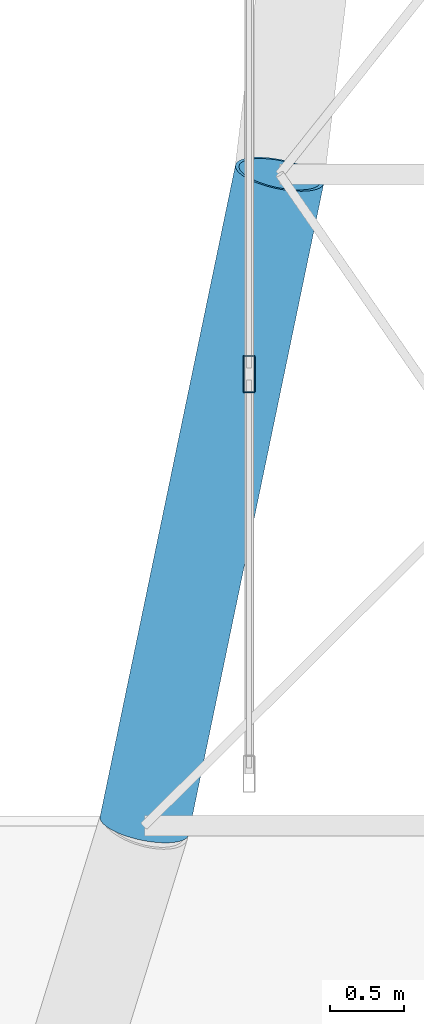
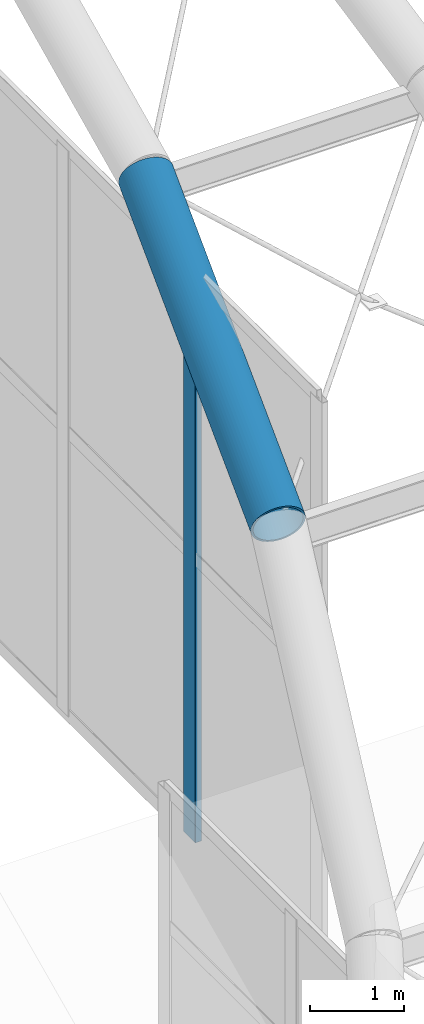
# One storey, part 34 of 126: 1 beam, 1 member, 1 element without a shape of its own.
"""IFC4 building model written with IfcOpenShell, lengths in metres."""

from ifc_helpers import new_model, si_unit, direction, frame, origin, origin_2d, place, context, subcontext, project, spatial, hollow_rectangle, hollow_circle, extrude, material, material_profile, profile_set, type_object, element, aggregate, save


model = new_model("IFC4")

# Units and contexts
model_context = context("Model", 3, precision=1e-05, world=origin(), true_north=direction((0.0, 1.0)))
body_context = subcontext(model_context, "Body", "Model", "MODEL_VIEW")
ifc_project = project(units=[si_unit("LENGTHUNIT", "METRE"), si_unit("AREAUNIT", "SQUARE_METRE"), si_unit("VOLUMEUNIT", "CUBIC_METRE"), si_unit("PLANEANGLEUNIT", "RADIAN"), si_unit("MASSUNIT", "GRAM", prefix="KILO")], contexts=[model_context])

# Site, building, storey
site_placement = place(None, origin())
site = spatial("IfcSite", under=ifc_project, at=site_placement, CompositionType="ELEMENT")
building_placement = place(site_placement, origin())
building = spatial("IfcBuilding", under=site, at=building_placement, Name="Varnabhumi Central Station", CompositionType="ELEMENT")
storey_placement = place(building_placement, frame((0.0, 0.0, 16.199951171875)))
storey = spatial("IfcBuildingStorey", under=building, at=storey_placement, Name="L03", CompositionType="ELEMENT", Elevation=16.199951171875)

# Beam
ifc_material_1 = material(Name="Structural steel E450", Category="steel")
ifc_material_profile_1 = material_profile(ifc_material_1, hollow_circle(Radius=0.304931640625, WallThickness=0.02490234375, at=origin_2d()), Name="Structural steel E450", Category="steel")
ifc_profile_set_1 = profile_set([ifc_material_profile_1], Name="Structural steel E450")
beam_type = type_object("IfcBeamType", Name="BM-ARCH-CHS610", PredefinedType="BEAM", material=ifc_profile_set_1)
beam_placement = place(storey_placement, frame((131.577392578125, 44.800048828125, 7.404052734375), z_axis=(0.192327801584, 0.925783023545, 0.325477818066), x_axis=(-0.979095067091, 0.20340317008, 0.0)))
element("IfcBeam", 1, at=beam_placement, inside=storey, type_object=beam_type, Name="Platform Train-Shed Vault Arch Rib 1 Seg 3", PredefinedType="BEAM", context=body_context, shape_type="SweptSolid", body=[
    extrude(hollow_circle(Radius=0.304931640625, WallThickness=0.02490234375, at=origin_2d()), origin(), (0.0, 0.0, 1.0), 4.752685546875),
])

# Curtain wall, member
ifc_material_2 = material(Name="Anodised aluminium 6063-T6", Category="aluminium")
curtain_wall_type = type_object("IfcCurtainWallType", Name="CW-VAULT-ARCH-V5", PredefinedType="NOTDEFINED", material=ifc_material_2)
curtain_wall_placement = place(storey_placement, origin())
curtain_wall = element("IfcCurtainWall", 2, at=curtain_wall_placement, inside=storey, type_object=curtain_wall_type, Name="Curtain Wall CW-V52", PredefinedType="NOTDEFINED")
ifc_material_profile_2 = material_profile(ifc_material_2, hollow_rectangle(XDim=0.080078125, YDim=0.25, WallThickness=0.0048828125, InnerFilletRadius=0.0009765625, OuterFilletRadius=0.006103515625, at=origin_2d()), Name="Anodised aluminium 6063-T6", Category="aluminium")
ifc_profile_set_2 = profile_set([ifc_material_profile_2], Name="Anodised aluminium 6063-T6")
member_type = type_object("IfcMemberType", Name="CW-MUL-250", PredefinedType="MULLION", material=ifc_profile_set_2)
member_placement = place(storey_placement, frame((132.284912109375, 47.85009765625, 1.25), z_axis=(0.0, 0.0, 1.0), x_axis=(1.0, 0.0, 0.0)))
member = element("IfcMember", 3, at=member_placement, type_object=member_type, Name="Curtain Wall Mullion CW-V52-M2", PredefinedType="MULLION", context=body_context, shape_type="SweptSolid", body=[
    extrude(hollow_rectangle(XDim=0.080078125, YDim=0.25, WallThickness=0.0048828125, InnerFilletRadius=0.0009765625, OuterFilletRadius=0.006103515625, at=origin_2d()), origin(), (0.0, 0.0, 1.0), 7.350830078125),
])
aggregate(curtain_wall, [member])

save(model, "model.ifc")
